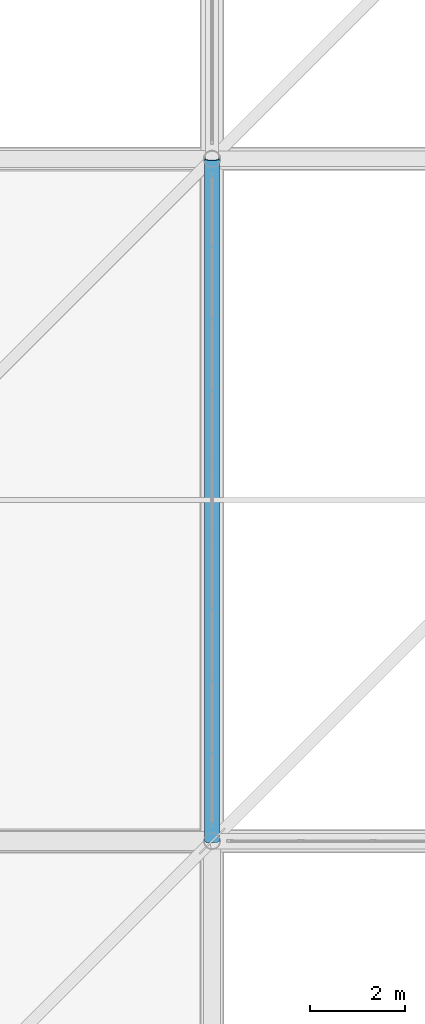
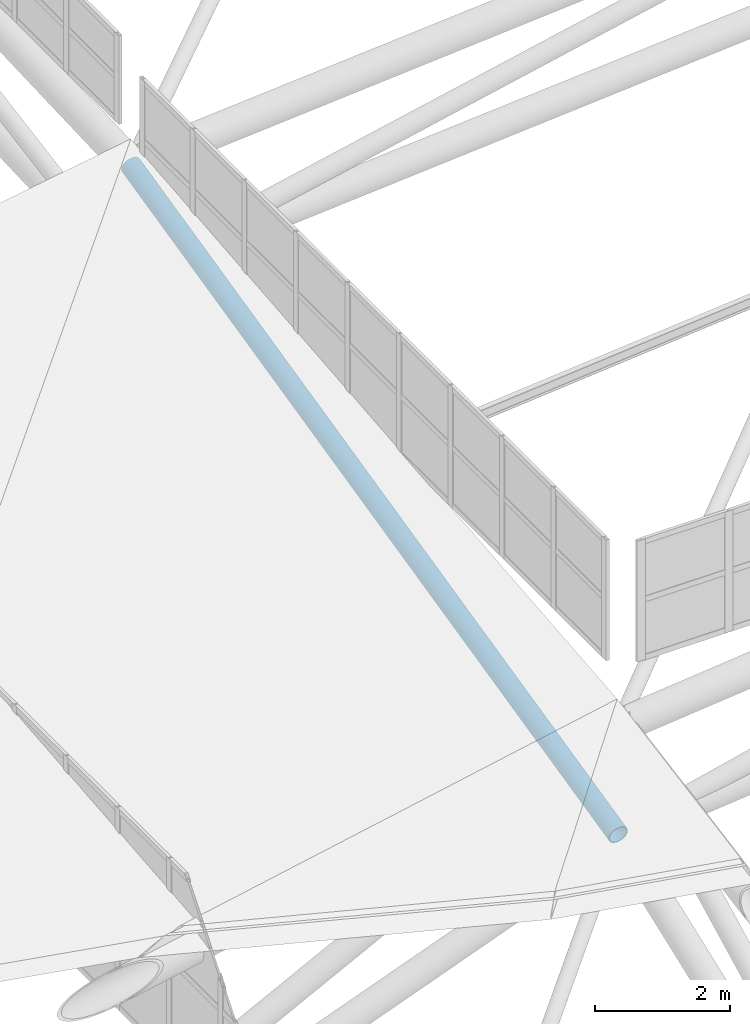
# One storey, part 57 of 397: 1 member.
"""IFC4 building model written with IfcOpenShell, lengths in metres."""

from ifc_helpers import new_model, si_unit, direction, frame, origin, origin_2d, place, context, subcontext, project, spatial, hollow_circle, extrude, material, material_profile, profile_set, type_object, element, save


model = new_model("IFC4")

# Units and contexts
model_context = context("Model", 3, precision=1e-05, world=origin(), true_north=direction((0.0, 1.0)))
body_context = subcontext(model_context, "Body", "Model", "MODEL_VIEW")
ifc_project = project(units=[si_unit("LENGTHUNIT", "METRE"), si_unit("AREAUNIT", "SQUARE_METRE"), si_unit("VOLUMEUNIT", "CUBIC_METRE"), si_unit("PLANEANGLEUNIT", "RADIAN"), si_unit("MASSUNIT", "GRAM", prefix="KILO")], contexts=[model_context])

# Site, building, storey
site_placement = place(None, origin())
site = spatial("IfcSite", under=ifc_project, at=site_placement, CompositionType="ELEMENT")
building_placement = place(site_placement, origin())
building = spatial("IfcBuilding", under=site, at=building_placement, Name="Qandorah Velis Arena", CompositionType="ELEMENT")
storey_placement = place(building_placement, frame((0.0, 0.0, 27.5)))
storey = spatial("IfcBuildingStorey", under=building, at=storey_placement, Name="RF", CompositionType="ELEMENT", Elevation=27.5)

# Member
ifc_material = material(Name="Steel S355", Category="steel")
ifc_material_profile = material_profile(ifc_material, hollow_circle(Radius=0.161865234375, WallThickness=0.01611328125, at=origin_2d()), Name="CHS 323.9x16")
ifc_profile_set = profile_set([ifc_material_profile], Name="Steel S355")
member_type = type_object("IfcMemberType", Name="STR-SFD-CHS323X16", PredefinedType="CHORD", material=ifc_profile_set)
member_placement = place(storey_placement, frame((28.800048828125, 28.800048828125, 5.515380859375), z_axis=(0.0, 0.974105384797, 0.226094447762), x_axis=(-1.0, 0.0, 0.0)))
element("IfcMember", 1, at=member_placement, inside=storey, type_object=member_type, Name="Space frame roof diagonal Y 1.1", PredefinedType="CHORD", context=body_context, shape_type="SweptSolid", body=[
    extrude(hollow_circle(Radius=0.161865234375, WallThickness=0.01611328125, at=origin_2d()), origin(), (0.0, 0.0, 1.0), 14.78271484375),
])

save(model, "model.ifc")
